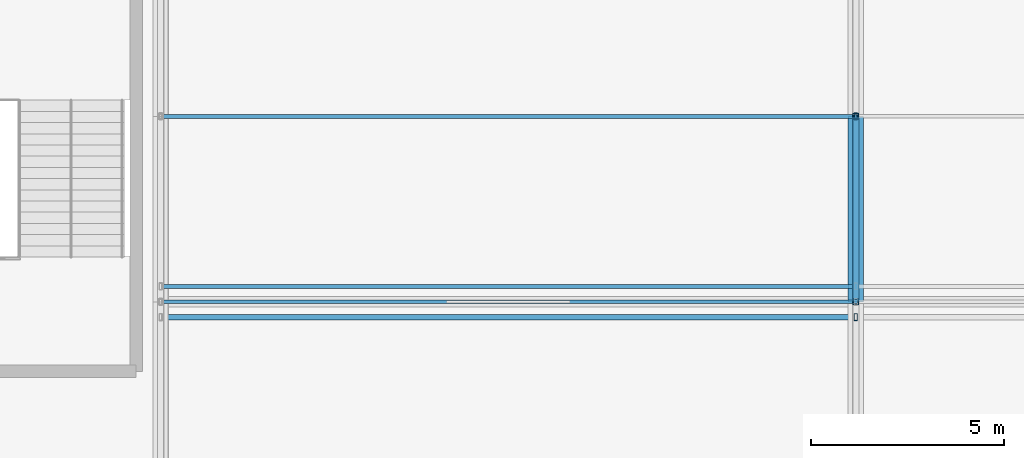
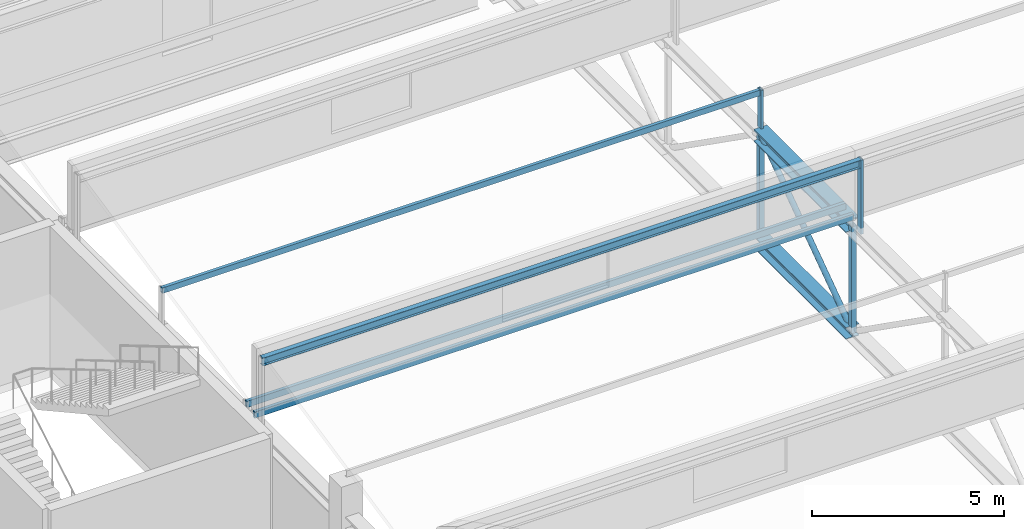
# One storey, part 41 of 136: 9 members, 2 beams.
"""IFC4 building model written with IfcOpenShell, lengths in metres."""

import ifcopenshell
import ifcopenshell.guid

model = None  # the IFC model being written
_history = None  # IfcOwnerHistory: only IFC2X3 demands one
_inside = {}  # id of a spatial element -> (the spatial element, [elements in it])
_under = {}  # id of a project, library or spatial element -> (it, [spatial elements below it])
_declared = {}  # id of a project -> (the project, [libraries it declares])
_typed = {}  # id of a type object -> (the type object, [elements of that type])
_made_of = {}  # id of a material, layer set ... -> (it, [elements and type objects made of it])


def new_model(schema):
    """Start an empty IFC model of exactly this schema.

    Asked for "IFC4X3", IfcOpenShell would pick the latest addendum, in which some entities
    have other attributes; the version numbers below select the first issue.
    IFC2X3 requires an IfcOwnerHistory on every rooted entity: one is made here for all.
    """
    global model, _history
    if schema == "IFC4X3":
        model = ifcopenshell.file(schema_version=(4, 3, 0, 0))
    else:
        model = ifcopenshell.file(schema=schema)
    _inside.clear()
    _under.clear()
    _declared.clear()
    _typed.clear()
    _made_of.clear()
    _history = None
    if model.schema == "IFC2X3":
        org = make("IfcOrganization", Name="unknown")
        user = make(
            "IfcPersonAndOrganization",
            ThePerson=make("IfcPerson", FamilyName="unknown"),
            TheOrganization=org,
        )
        app = make(
            "IfcApplication",
            ApplicationDeveloper=org,
            Version="unknown",
            ApplicationFullName="unknown",
            ApplicationIdentifier="unknown",
        )
        _history = make(
            "IfcOwnerHistory",
            OwningUser=user,
            OwningApplication=app,
            ChangeAction="ADDED",
            CreationDate=0,
        )
    return model


def make(cls, **values):
    """One entity of the class cls with the attributes given. An attribute that is None is left unset."""
    return model.create_entity(
        cls, **{name: value for name, value in values.items() if value is not None}
    )


def rooted(cls, **values):
    """An entity with a GlobalId (a new one), such as an element, a storey or a relation."""
    return make(cls, GlobalId=ifcopenshell.guid.new(), OwnerHistory=_history, **values)


def si_unit(unit_type, name, prefix=None):
    """IfcSIUnit, for example si_unit("LENGTHUNIT", "METRE", prefix="MILLI")."""
    return make("IfcSIUnit", UnitType=unit_type, Prefix=prefix, Name=name)


def assignment(units):
    """IfcUnitAssignment: the units of a project."""
    return None if units is None else make("IfcUnitAssignment", Units=units)


def point(xyz):
    """IfcCartesianPoint."""
    return None if xyz is None else make("IfcCartesianPoint", Coordinates=xyz)


def direction(xyz):
    """IfcDirection."""
    return None if xyz is None else make("IfcDirection", DirectionRatios=xyz)


def frame(location, z_axis=None, x_axis=None):
    """IfcAxis2Placement3D, a coordinate frame: its origin and axes. An axis left out is left unset."""
    return make(
        "IfcAxis2Placement3D",
        Location=point(location),
        Axis=direction(z_axis),
        RefDirection=direction(x_axis),
    )


def frame_2d(location, x_axis=None):
    """IfcAxis2Placement2D, a coordinate frame in the plane: its origin and x axis."""
    return make(
        "IfcAxis2Placement2D", Location=point(location), RefDirection=direction(x_axis)
    )


def origin():
    """The frame at (0, 0, 0) with its axes left unset."""
    return frame((0.0, 0.0, 0.0))


def origin_2d():
    """The frame at (0, 0) in the plane with its x axis left unset."""
    return frame_2d((0.0, 0.0))


def place(relative_to, where):
    """IfcLocalPlacement: puts the frame where relative to a parent placement (None: the world)."""
    return make(
        "IfcLocalPlacement", PlacementRelTo=relative_to, RelativePlacement=where
    )


def context(
    kind, dimensions, precision=None, world=None, true_north=None, identifier=None
):
    """IfcGeometricRepresentationContext, for example the 3D "Model" context."""
    return make(
        "IfcGeometricRepresentationContext",
        ContextIdentifier=identifier,
        ContextType=kind,
        CoordinateSpaceDimension=dimensions,
        Precision=precision,
        WorldCoordinateSystem=world,
        TrueNorth=true_north,
    )


def subcontext(parent, identifier, kind, view, scale=None):
    """IfcGeometricRepresentationSubContext, for example "Body" below "Model"."""
    return make(
        "IfcGeometricRepresentationSubContext",
        ContextIdentifier=identifier,
        ContextType=kind,
        ParentContext=parent,
        TargetScale=scale,
        TargetView=view,
    )


def project(units=None, contexts=None):
    """IfcProject with its units and contexts."""
    return rooted(
        "IfcProject",
        Name="project",
        RepresentationContexts=contexts,
        UnitsInContext=assignment(units),
    )


def spatial(cls, under=None, at=None, **own):
    """A site, building, storey or space (cls), placed at a placement, below another one or the project."""
    s = rooted(cls, ObjectPlacement=at, **own)
    if under is not None:
        _under.setdefault(under.id(), (under, []))[1].append(s)
    return s


def profile(cls, at=None, kind="AREA", **sizes):
    """A parametric profile (cls). Its sizes go by their IFC names, for example OverallWidth=200.0."""
    return make(cls, ProfileType=kind, Position=at, **sizes)


def hollow_rectangle(**sizes):
    """IfcRectangleHollowProfileDef."""
    return profile("IfcRectangleHollowProfileDef", **sizes)


def hollow_circle(**sizes):
    """IfcCircleHollowProfileDef."""
    return profile("IfcCircleHollowProfileDef", **sizes)


def i_section(**sizes):
    """IfcIShapeProfileDef."""
    return profile("IfcIShapeProfileDef", **sizes)


def extrude(swept, where, along, depth):
    """IfcExtrudedAreaSolid: the profile swept, set in the frame where, extruded along a direction by depth."""
    return make(
        "IfcExtrudedAreaSolid",
        SweptArea=swept,
        Position=where,
        ExtrudedDirection=direction(along),
        Depth=depth,
    )


def shape(context_of_items, identifier, shape_type, items):
    """IfcShapeRepresentation: the items that make up one representation, for example the "Body"."""
    return make(
        "IfcShapeRepresentation",
        ContextOfItems=context_of_items,
        RepresentationIdentifier=identifier,
        RepresentationType=shape_type,
        Items=items,
    )


def material(Name=None, Category=None):
    """IfcMaterial."""
    return make("IfcMaterial", Name=Name, Category=Category)


def material_profile(
    of_material, cross_section, Name=None, Category=None, Priority=None
):
    """IfcMaterialProfile: a cross section and its material."""
    return make(
        "IfcMaterialProfile",
        Name=Name,
        Material=of_material,
        Profile=cross_section,
        Priority=Priority,
        Category=Category,
    )


def profile_set(profiles, Name=None, composite=None):
    """IfcMaterialProfileSet."""
    return make(
        "IfcMaterialProfileSet",
        Name=Name,
        MaterialProfiles=profiles,
        CompositeProfile=composite,
    )


def made_of(thing, what):
    """Note that an element or type object is made of a material, layer set ...; save() writes the relation."""
    if what is not None:
        _made_of.setdefault(what.id(), (what, []))[1].append(thing)
    return thing


def type_object(cls, material=None, **own):
    """A type object (cls), such as IfcWallType, which elements share."""
    return made_of(rooted(cls, **own), material)


def element(
    cls,
    number,
    at=None,
    inside=None,
    cuts=None,
    type_object=None,
    material=None,
    context=None,
    identifier="Body",
    shape_type=None,
    held_by="IfcProductDefinitionShape",
    body=None,
    shapes=None,
    **own,
):
    """One element of the class cls, such as IfcWall. Its Tag is "e" and its number.

    at: its placement. inside: the storey or other place that contains it. cuts: it is an
    opening in that element (IfcRelVoidsElement). A single representation is given by context,
    identifier, shape_type and body (its items); several are given by shapes. held_by: the class
    of the entity that holds the representations. save() writes the other relations.
    """
    e = rooted(cls, Tag="e%d" % number, ObjectPlacement=at, **own)
    if body is not None:
        shapes = [shape(context, identifier, shape_type, body)]
    if shapes is not None:
        e.Representation = make(held_by, Representations=shapes)
    if inside is not None:
        _inside.setdefault(inside.id(), (inside, []))[1].append(e)
    if cuts is not None:
        rooted(
            "IfcRelVoidsElement", RelatingBuildingElement=cuts, RelatedOpeningElement=e
        )
    if type_object is not None:
        _typed.setdefault(type_object.id(), (type_object, []))[1].append(e)
    return made_of(e, material)


def aggregate(whole, parts):
    """IfcRelAggregates: a whole, such as a stair, and the parts it consists of."""
    return rooted("IfcRelAggregates", RelatingObject=whole, RelatedObjects=parts)


def save(model, path):
    """Write the relations noted so far, then the file.

    IfcRelAggregates (storeys below a building ...), IfcRelContainedInSpatialStructure (elements
    in a storey), IfcRelDefinesByType, IfcRelAssociatesMaterial and IfcRelDeclares: one each for
    every whole, place, type object, material and project.
    """
    for whole, parts in _under.values():
        aggregate(whole, parts)
    for where, things in _inside.values():
        rooted(
            "IfcRelContainedInSpatialStructure",
            RelatedElements=things,
            RelatingStructure=where,
        )
    for kind, things in _typed.values():
        rooted("IfcRelDefinesByType", RelatedObjects=things, RelatingType=kind)
    for what, things in _made_of.values():
        rooted("IfcRelAssociatesMaterial", RelatedObjects=things, RelatingMaterial=what)
    for by, libraries in _declared.values():
        rooted("IfcRelDeclares", RelatingContext=by, RelatedDefinitions=libraries)
    model.write(path)


model = new_model("IFC4")

# Units and contexts
model_context = context("Model", 3, precision=1e-05, world=origin(), true_north=direction((0.0, 1.0)))
body_context = subcontext(model_context, "Body", "Model", "MODEL_VIEW")
ifc_project = project(units=[si_unit("LENGTHUNIT", "METRE"), si_unit("AREAUNIT", "SQUARE_METRE"), si_unit("VOLUMEUNIT", "CUBIC_METRE"), si_unit("PLANEANGLEUNIT", "RADIAN"), si_unit("MASSUNIT", "GRAM", prefix="KILO")], contexts=[model_context])

# Site, building, storey
site_placement = place(None, origin())
site = spatial("IfcSite", under=ifc_project, at=site_placement, CompositionType="ELEMENT")
building_placement = place(site_placement, origin())
building = spatial("IfcBuilding", under=site, at=building_placement, Name="Kisiwana Market Hall", CompositionType="ELEMENT")
storey_placement = place(building_placement, frame((0.0, 0.0, 16.800048828125)))
storey = spatial("IfcBuildingStorey", under=building, at=storey_placement, Name="L03", CompositionType="ELEMENT", Elevation=16.800048828125)

# Beams
ifc_material_1 = material(Name="Steel S355", Category="steel")
ifc_material_profile_1 = material_profile(ifc_material_1, i_section(OverallWidth=0.394775390625, OverallDepth=0.381103515625, WebThickness=0.018310546875, FlangeThickness=0.0302734375, at=origin_2d()), Name="UC 356x406x235")
ifc_profile_set_1 = profile_set([ifc_material_profile_1], Name="Steel S355")
beam_type_1 = type_object("IfcBeamType", Name="BM-TRUSS-BOT", PredefinedType="USERDEFINED", material=ifc_profile_set_1)
beam_1_placement = place(storey_placement, frame((63.0, 64.800048828125, 0.22998046875), z_axis=(0.0, 1.0, 0.0), x_axis=(-1.0, 0.0, 0.0)))
element("IfcBeam", 1, at=beam_1_placement, inside=storey, type_object=beam_type_1, Name="TR-02 BC panel 7 B-1204", ObjectType="ROOF TRUSS", PredefinedType="USERDEFINED", context=body_context, shape_type="SweptSolid", body=[
    extrude(i_section(OverallWidth=0.394775390625, OverallDepth=0.381103515625, WebThickness=0.018310546875, FlangeThickness=0.0302734375, at=origin_2d()), origin(), (0.0, 0.0, 1.0), 4.800048828125),
])
ifc_material_2 = material(Name="Steel S355", Category="steel")
ifc_material_profile_2 = material_profile(ifc_material_2, i_section(OverallWidth=0.39892578125, OverallDepth=0.3935546875, WebThickness=0.022705078125, FlangeThickness=0.03662109375, at=origin_2d()), Name="UC 356x406x287")
ifc_profile_set_2 = profile_set([ifc_material_profile_2], Name="Steel S355")
beam_type_2 = type_object("IfcBeamType", Name="BM-TRUSS-TOP", PredefinedType="USERDEFINED", material=ifc_profile_set_2)
beam_2_placement = place(storey_placement, frame((63.0, 64.800048828125, 3.619873046875), z_axis=(0.0, 1.0, 0.0), x_axis=(-1.0, 0.0, 0.0)))
element("IfcBeam", 2, at=beam_2_placement, inside=storey, type_object=beam_type_2, Name="TR-02 TC panel 7 B-1214", ObjectType="ROOF TRUSS", PredefinedType="USERDEFINED", context=body_context, shape_type="SweptSolid", body=[
    extrude(i_section(OverallWidth=0.39892578125, OverallDepth=0.3935546875, WebThickness=0.022705078125, FlangeThickness=0.03662109375, at=origin_2d()), origin(), (0.0, 0.0, 1.0), 4.800048828125),
])

# Members
ifc_material_3 = material(Name="Steel S355", Category="steel")
ifc_material_profile_3 = material_profile(ifc_material_3, hollow_rectangle(XDim=0.080078125, YDim=0.179931640625, WallThickness=0.00634765625, at=origin_2d()), Name="RHS 180x80x6.3")
ifc_profile_set_3 = profile_set([ifc_material_profile_3], Name="Steel S355")
member_type_1 = type_object("IfcMemberType", Name="MB-CAN-STRUT", PredefinedType="STRUT", material=ifc_profile_set_3)
member_1_placement = place(storey_placement, frame((63.0, 64.39990234375, 3.619873046875), z_axis=(0.0, 0.0, 1.0), x_axis=(1.0, 0.0, 0.0)))
element("IfcMember", 3, at=member_1_placement, inside=storey, type_object=member_type_1, Name="Sawtooth raker post 247 M-0276", PredefinedType="STRUT", context=body_context, shape_type="SweptSolid", body=[
    extrude(hollow_rectangle(XDim=0.080078125, YDim=0.179931640625, WallThickness=0.00634765625, at=origin_2d()), origin(), (0.0, 0.0, 1.0), 2.355712890625),
])
member_2_placement = place(storey_placement, frame((63.0, 69.60009765625, 3.619873046875), z_axis=(0.0, 0.0, 1.0), x_axis=(1.0, 0.0, 0.0)))
element("IfcMember", 4, at=member_2_placement, inside=storey, type_object=member_type_1, Name="Sawtooth mid-slope raker post 45 M-0076", PredefinedType="STRUT", context=body_context, shape_type="SweptSolid", body=[
    extrude(hollow_rectangle(XDim=0.080078125, YDim=0.179931640625, WallThickness=0.00634765625, at=origin_2d()), origin(), (0.0, 0.0, 1.0), 1.42041015625),
])
ifc_material_4 = material(Name="Steel S355", Category="steel")
ifc_material_profile_4 = material_profile(ifc_material_4, hollow_rectangle(XDim=0.10009765625, YDim=0.179931640625, WallThickness=0.008056640625, at=origin_2d()), Name="RHS 180x100x8")
ifc_profile_set_4 = profile_set([ifc_material_profile_4], Name="Steel S355")
member_type_2 = type_object("IfcMemberType", Name="MB-PURL-RHS180", PredefinedType="PURLIN", material=ifc_profile_set_4)
member_3_placement = place(storey_placement, frame((45.0, 69.60009765625, 4.9462890625), z_axis=(1.0, 0.0, 0.0), x_axis=(0.0, 1.0, 0.0)))
element("IfcMember", 5, at=member_3_placement, inside=storey, type_object=member_type_2, Name="Sawtooth mid-slope roof purlin 52 M-0112", PredefinedType="PURLIN", context=body_context, shape_type="SweptSolid", body=[
    extrude(hollow_rectangle(XDim=0.10009765625, YDim=0.179931640625, WallThickness=0.008056640625, at=origin_2d()), origin(), (0.0, 0.0, 1.0), 18.0),
])
ifc_material_5 = material(Name="Steel S355", Category="steel")
ifc_material_profile_5 = material_profile(ifc_material_5, hollow_rectangle(XDim=0.10009765625, YDim=0.199951171875, WallThickness=0.008056640625, at=origin_2d()), Name="RHS 200x100x8.0")
ifc_profile_set_5 = profile_set([ifc_material_profile_5], Name="Steel S355")
member_type_3 = type_object("IfcMemberType", Name="MB-ROOF-PURLIN1", PredefinedType="PURLIN", material=ifc_profile_set_5)
for number, where, z_axis, x_axis, name in (
    (6, (45.0, 64.800048828125, 3.90087890625), (1.0, 0.0, 0.0), (0.0, 1.0, 0.0), "Sawtooth roof purlin 269 M-0170"),
    (7, (45.0, 65.199951171875, 4.0009765625), (1.0, 0.0, 0.0), (0.0, 1.0, 0.0), "Sawtooth roof purlin 312 M-0189"),
):
    element("IfcMember", number, at=place(storey_placement, frame(where, z_axis=z_axis, x_axis=x_axis)), inside=storey, type_object=member_type_3, Name=name, PredefinedType="PURLIN", context=body_context, shape_type="SweptSolid", body=[
        extrude(hollow_rectangle(XDim=0.10009765625, YDim=0.199951171875, WallThickness=0.008056640625, at=origin_2d()), origin(), (0.0, 0.0, 1.0), 18.0),
    ])
ifc_material_6 = material(Name="Steel S355", Category="steel")
ifc_material_profile_6 = material_profile(ifc_material_6, i_section(OverallWidth=0.146484375, OverallDepth=0.256103515625, WebThickness=0.00634765625, FlangeThickness=0.010986328125, at=origin_2d()), Name="UB 254x146x37")
ifc_profile_set_6 = profile_set([ifc_material_profile_6], Name="Steel S355")
member_type_4 = type_object("IfcMemberType", Name="MB-ROOF-PURLIN2", PredefinedType="PURLIN", material=ifc_profile_set_6)
member_4_placement = place(storey_placement, frame((45.0, 64.39990234375, 5.843505859375), z_axis=(1.0, 0.0, 0.0), x_axis=(0.0, 1.0, 0.0)))
element("IfcMember", 8, at=member_4_placement, inside=storey, type_object=member_type_4, Name="Sawtooth roof purlin 268 M-0169", PredefinedType="PURLIN", context=body_context, shape_type="SweptSolid", body=[
    extrude(i_section(OverallWidth=0.146484375, OverallDepth=0.256103515625, WebThickness=0.00634765625, FlangeThickness=0.010986328125, at=origin_2d()), origin(), (0.0, 0.0, 1.0), 18.0),
])
ifc_material_7 = material(Name="Steel S355", Category="steel")
ifc_material_profile_7 = material_profile(ifc_material_7, hollow_circle(Radius=0.084228515625, WallThickness=0.010009765625, at=origin_2d()), Name="CHS 168.3x10.0")
ifc_profile_set_7 = profile_set([ifc_material_profile_7], Name="Steel S355")
member_type_5 = type_object("IfcMemberType", Name="MB-TR-DIAG168", PredefinedType="BRACE", material=ifc_profile_set_7)
member_5_placement = place(storey_placement, frame((63.0, 64.800048828125, 0.22998046875), z_axis=(0.0, 0.816837735077, 0.576867501732), x_axis=(-1.0, 0.0, 0.0)))
element("IfcMember", 9, at=member_5_placement, inside=storey, type_object=member_type_5, Name="TR-02 diagonal 7 M-0361", PredefinedType="BRACE", context=body_context, shape_type="SweptSolid", body=[
    extrude(hollow_circle(Radius=0.084228515625, WallThickness=0.010009765625, at=origin_2d()), origin(), (0.0, 0.0, 1.0), 5.87646484375),
])
ifc_material_8 = material(Name="Steel S355", Category="steel")
ifc_material_profile_8 = material_profile(ifc_material_8, hollow_rectangle(XDim=0.14990234375, YDim=0.14990234375, WallThickness=0.008056640625, at=origin_2d()), Name="SHS 150x150x8.0")
ifc_profile_set_8 = profile_set([ifc_material_profile_8], Name="Steel S355")
member_type_6 = type_object("IfcMemberType", Name="MB-TR-STRUT200", PredefinedType="STRUT", material=ifc_profile_set_8)
for number, where, z_axis, x_axis, name in (
    (10, (63.0, 64.800048828125, 0.22998046875), (0.0, 0.0, 1.0), (1.0, 0.0, 0.0), "TR-02 vertical strut 7 M-0370"),
    (11, (63.0, 69.60009765625, 0.22998046875), (0.0, 0.0, 1.0), (1.0, 0.0, 0.0), "TR-02 vertical strut 8 M-0371"),
):
    element("IfcMember", number, at=place(storey_placement, frame(where, z_axis=z_axis, x_axis=x_axis)), inside=storey, type_object=member_type_6, Name=name, PredefinedType="STRUT", context=body_context, shape_type="SweptSolid", body=[
        extrude(hollow_rectangle(XDim=0.14990234375, YDim=0.14990234375, WallThickness=0.008056640625, at=origin_2d()), origin(), (0.0, 0.0, 1.0), 3.389892578125),
    ])

save(model, "model.ifc")
